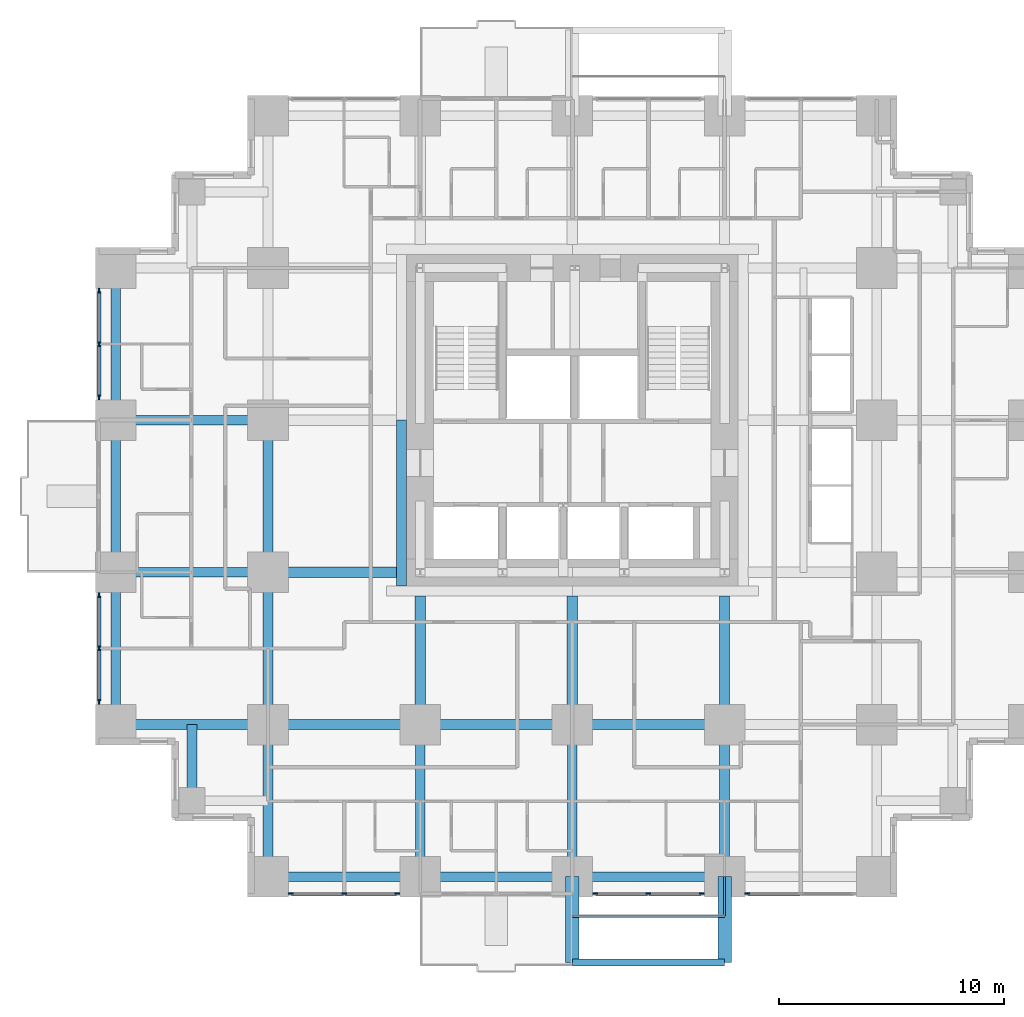
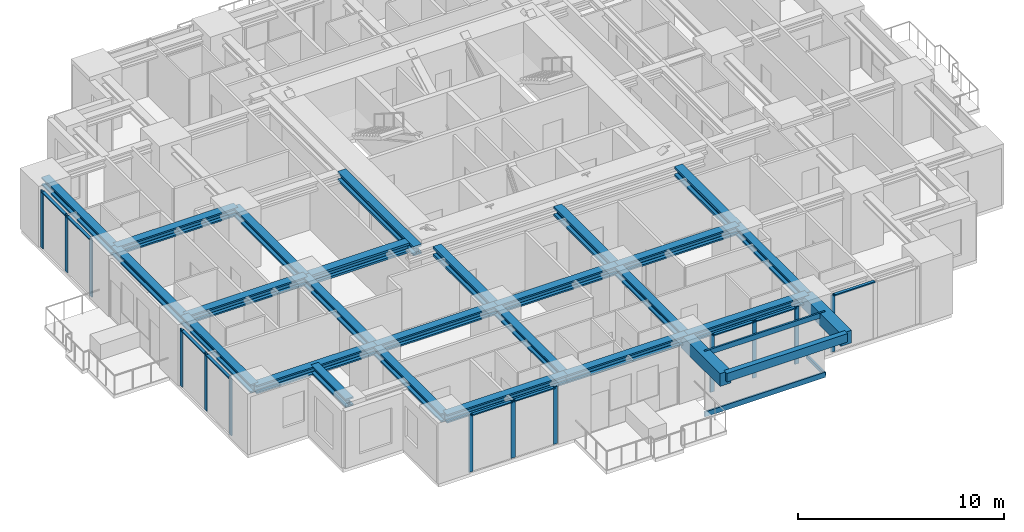
# One storey, part 2 of 13: 27 beams, 25 members, 5 elements without a shape of their own.
"""IFC4 building model written with IfcOpenShell, lengths in metres."""

from ifc_helpers import new_model, si_unit, direction, frame, origin, origin_2d, place, context, subcontext, project, spatial, rectangle, hollow_rectangle, i_section, extrude, material, material_profile, profile_set, type_object, element, aggregate, save


model = new_model("IFC4")

# Units and contexts
model_context = context("Model", 3, precision=1e-05, world=origin(), true_north=direction((0.0, 1.0)))
body_context = subcontext(model_context, "Body", "Model", "MODEL_VIEW")
ifc_project = project(units=[si_unit("LENGTHUNIT", "METRE"), si_unit("AREAUNIT", "SQUARE_METRE"), si_unit("VOLUMEUNIT", "CUBIC_METRE"), si_unit("PLANEANGLEUNIT", "RADIAN"), si_unit("MASSUNIT", "GRAM", prefix="KILO")], contexts=[model_context])

# Site, building, storey
site_placement = place(None, origin())
site = spatial("IfcSite", under=ifc_project, at=site_placement, CompositionType="ELEMENT")
building_placement = place(site_placement, origin())
building = spatial("IfcBuilding", under=site, at=building_placement, Name="Nyansa Garden Tower", CompositionType="ELEMENT")
storey_placement = place(building_placement, frame((0.0, 0.0, 87.300048828125)))
storey = spatial("IfcBuildingStorey", under=building, at=storey_placement, Name="L23", CompositionType="ELEMENT", Elevation=87.300048828125)

# Beams
ifc_material_1 = material(Name="Concrete C70/85", Category="concrete")
ifc_material_profile_1 = material_profile(ifc_material_1, rectangle(XDim=0.60009765625, YDim=0.75, at=origin_2d()), Name="RC 600x750")
ifc_profile_set_1 = profile_set([ifc_material_profile_1], Name="Concrete C70/85")
beam_type_1 = type_object("IfcBeamType", Name="Balcony cantilever beam CB1 RC 600x750", PredefinedType="BEAM", material=ifc_profile_set_1)
for number, where, z_axis, x_axis, name in (
    (1, (20.25, 0.0, 2.98486328125), (0.0, -1.0, 0.0), (1.0, 0.0, 0.0), "Balcony cantilever beam L24"),
    (2, (27.0, 0.0, 2.98486328125), (0.0, -1.0, 0.0), (1.0, 0.0, 0.0), "Balcony cantilever beam L24"),
):
    element("IfcBeam", number, at=place(storey_placement, frame(where, z_axis=z_axis, x_axis=x_axis)), inside=storey, type_object=beam_type_1, Name=name, PredefinedType="BEAM", context=body_context, shape_type="SweptSolid", body=[
        extrude(rectangle(XDim=0.60009765625, YDim=0.75, at=origin_2d()), origin(), (0.0, 0.0, 1.0), 3.800048828125),
    ])
ifc_material_2 = material(Name="Concrete C70/85", Category="concrete")
ifc_material_profile_2 = material_profile(ifc_material_2, rectangle(XDim=0.300048828125, YDim=0.5, at=origin_2d()), Name="RC 300x500")
ifc_profile_set_2 = profile_set([ifc_material_profile_2], Name="Concrete C70/85")
beam_type_2 = type_object("IfcBeamType", Name="Balcony edge beam BE1 RC 300x500", PredefinedType="BEAM", material=ifc_profile_set_2)
beam_1_placement = place(storey_placement, frame((20.25, -3.800048828125, 3.10986328125), z_axis=(1.0, 0.0, 0.0), x_axis=(0.0, 1.0, 0.0)))
element("IfcBeam", 3, at=beam_1_placement, inside=storey, type_object=beam_type_2, Name="Balcony edge beam L24", PredefinedType="BEAM", context=body_context, shape_type="SweptSolid", body=[
    extrude(rectangle(XDim=0.300048828125, YDim=0.5, at=origin_2d()), origin(), (0.0, 0.0, 1.0), 6.75),
])

# Curtain wall, members
ifc_material_3 = material(Name="Black anodised aluminium, dark tinted double glazing", Category="aluminium")
curtain_wall_type = type_object("IfcCurtainWallType", Name="Inner skin curtain wall ISW-B", PredefinedType="USERDEFINED", material=ifc_material_3)
curtain_wall_1_placement = place(storey_placement, origin())
curtain_wall_1 = element("IfcCurtainWall", 4, at=curtain_wall_1_placement, inside=storey, type_object=curtain_wall_type, Name="Inner skin curtain wall L23 W", ObjectType="UNITISED CURTAIN WALL", PredefinedType="USERDEFINED")
ifc_material_4 = material(Name="Black anodised aluminium", Category="aluminium")
ifc_material_profile_3 = material_profile(ifc_material_4, rectangle(XDim=0.06494140625, YDim=0.22509765625, at=origin_2d()), Name="Mullion 225x65")
ifc_profile_set_3 = profile_set([ifc_material_profile_3], Name="Black anodised aluminium")
member_type_1 = type_object("IfcMemberType", Name="Mullion ISW-B 225x65", PredefinedType="MULLION", material=ifc_profile_set_3)
member_1_placement = place(storey_placement, frame((-0.75, 12.487548828125, 0.0), z_axis=(0.0, 0.0, 1.0), x_axis=(1.0, 0.0, 0.0)))
member_1 = element("IfcMember", 5, at=member_1_placement, type_object=member_type_1, Name="ISW-B mullion 1", PredefinedType="MULLION", context=body_context, shape_type="SweptSolid", body=[
    extrude(rectangle(XDim=0.06494140625, YDim=0.22509765625, at=origin_2d()), origin(), (0.0, 0.0, 1.0), 3.375),
])
member_2_placement = place(storey_placement, frame((-0.75, 10.125, 0.0), z_axis=(0.0, 0.0, 1.0), x_axis=(1.0, 0.0, 0.0)))
member_2 = element("IfcMember", 6, at=member_2_placement, type_object=member_type_1, Name="ISW-B mullion 2", PredefinedType="MULLION", context=body_context, shape_type="SweptSolid", body=[
    extrude(rectangle(XDim=0.06494140625, YDim=0.22509765625, at=origin_2d()), origin(), (0.0, 0.0, 1.0), 3.375),
])
member_3_placement = place(storey_placement, frame((-0.75, 7.762451171875, 0.0), z_axis=(0.0, 0.0, 1.0), x_axis=(1.0, 0.0, 0.0)))
member_3 = element("IfcMember", 7, at=member_3_placement, type_object=member_type_1, Name="ISW-B mullion 3", PredefinedType="MULLION", context=body_context, shape_type="SweptSolid", body=[
    extrude(rectangle(XDim=0.06494140625, YDim=0.22509765625, at=origin_2d()), origin(), (0.0, 0.0, 1.0), 3.375),
])

curtain_wall_2_placement = place(storey_placement, origin())
curtain_wall_2 = element("IfcCurtainWall", 8, at=curtain_wall_2_placement, inside=storey, type_object=curtain_wall_type, Name="Inner skin curtain wall L23 W", ObjectType="UNITISED CURTAIN WALL", PredefinedType="USERDEFINED")
member_4_placement = place(storey_placement, frame((-0.75, 25.987548828125, 0.0), z_axis=(0.0, 0.0, 1.0), x_axis=(1.0, 0.0, 0.0)))
member_4 = element("IfcMember", 9, at=member_4_placement, type_object=member_type_1, Name="ISW-B mullion 1", PredefinedType="MULLION", context=body_context, shape_type="SweptSolid", body=[
    extrude(rectangle(XDim=0.06494140625, YDim=0.22509765625, at=origin_2d()), origin(), (0.0, 0.0, 1.0), 3.375),
])
member_5_placement = place(storey_placement, frame((-0.75, 23.625, 0.0), z_axis=(0.0, 0.0, 1.0), x_axis=(1.0, 0.0, 0.0)))
member_5 = element("IfcMember", 10, at=member_5_placement, type_object=member_type_1, Name="ISW-B mullion 2", PredefinedType="MULLION", context=body_context, shape_type="SweptSolid", body=[
    extrude(rectangle(XDim=0.06494140625, YDim=0.22509765625, at=origin_2d()), origin(), (0.0, 0.0, 1.0), 3.375),
])
member_6_placement = place(storey_placement, frame((-0.75, 21.262451171875, 0.0), z_axis=(0.0, 0.0, 1.0), x_axis=(1.0, 0.0, 0.0)))
member_6 = element("IfcMember", 11, at=member_6_placement, type_object=member_type_1, Name="ISW-B mullion 3", PredefinedType="MULLION", context=body_context, shape_type="SweptSolid", body=[
    extrude(rectangle(XDim=0.06494140625, YDim=0.22509765625, at=origin_2d()), origin(), (0.0, 0.0, 1.0), 3.375),
])

curtain_wall_3_placement = place(storey_placement, origin())
curtain_wall_3 = element("IfcCurtainWall", 12, at=curtain_wall_3_placement, inside=storey, type_object=curtain_wall_type, Name="Inner skin curtain wall L23 S", ObjectType="UNITISED CURTAIN WALL", PredefinedType="USERDEFINED")
member_7_placement = place(storey_placement, frame((7.762451171875, -0.75, 0.0), z_axis=(0.0, 0.0, 1.0), x_axis=(0.0, 1.0, 0.0)))
member_7 = element("IfcMember", 13, at=member_7_placement, type_object=member_type_1, Name="ISW-B mullion 1", PredefinedType="MULLION", context=body_context, shape_type="SweptSolid", body=[
    extrude(rectangle(XDim=0.06494140625, YDim=0.22509765625, at=origin_2d()), origin(), (0.0, 0.0, 1.0), 3.375),
])
member_8_placement = place(storey_placement, frame((10.125, -0.75, 0.0), z_axis=(0.0, 0.0, 1.0), x_axis=(0.0, 1.0, 0.0)))
member_8 = element("IfcMember", 14, at=member_8_placement, type_object=member_type_1, Name="ISW-B mullion 2", PredefinedType="MULLION", context=body_context, shape_type="SweptSolid", body=[
    extrude(rectangle(XDim=0.06494140625, YDim=0.22509765625, at=origin_2d()), origin(), (0.0, 0.0, 1.0), 3.375),
])
member_9_placement = place(storey_placement, frame((12.487548828125, -0.75, 0.0), z_axis=(0.0, 0.0, 1.0), x_axis=(0.0, 1.0, 0.0)))
member_9 = element("IfcMember", 15, at=member_9_placement, type_object=member_type_1, Name="ISW-B mullion 3", PredefinedType="MULLION", context=body_context, shape_type="SweptSolid", body=[
    extrude(rectangle(XDim=0.06494140625, YDim=0.22509765625, at=origin_2d()), origin(), (0.0, 0.0, 1.0), 3.375),
])

curtain_wall_4_placement = place(storey_placement, origin())
curtain_wall_4 = element("IfcCurtainWall", 16, at=curtain_wall_4_placement, inside=storey, type_object=curtain_wall_type, Name="Inner skin curtain wall L23 S", ObjectType="UNITISED CURTAIN WALL", PredefinedType="USERDEFINED")
member_10_placement = place(storey_placement, frame((21.262451171875, -0.75, 0.0), z_axis=(0.0, 0.0, 1.0), x_axis=(0.0, 1.0, 0.0)))
member_10 = element("IfcMember", 17, at=member_10_placement, type_object=member_type_1, Name="ISW-B mullion 1", PredefinedType="MULLION", context=body_context, shape_type="SweptSolid", body=[
    extrude(rectangle(XDim=0.06494140625, YDim=0.22509765625, at=origin_2d()), origin(), (0.0, 0.0, 1.0), 3.375),
])
member_11_placement = place(storey_placement, frame((23.625, -0.75, 0.0), z_axis=(0.0, 0.0, 1.0), x_axis=(0.0, 1.0, 0.0)))
member_11 = element("IfcMember", 18, at=member_11_placement, type_object=member_type_1, Name="ISW-B mullion 2", PredefinedType="MULLION", context=body_context, shape_type="SweptSolid", body=[
    extrude(rectangle(XDim=0.06494140625, YDim=0.22509765625, at=origin_2d()), origin(), (0.0, 0.0, 1.0), 3.375),
])
member_12_placement = place(storey_placement, frame((25.987548828125, -0.75, 0.0), z_axis=(0.0, 0.0, 1.0), x_axis=(0.0, 1.0, 0.0)))
member_12 = element("IfcMember", 19, at=member_12_placement, type_object=member_type_1, Name="ISW-B mullion 3", PredefinedType="MULLION", context=body_context, shape_type="SweptSolid", body=[
    extrude(rectangle(XDim=0.06494140625, YDim=0.22509765625, at=origin_2d()), origin(), (0.0, 0.0, 1.0), 3.375),
])

# Curtain wall, member
curtain_wall_5_placement = place(storey_placement, origin())
curtain_wall_5 = element("IfcCurtainWall", 20, at=curtain_wall_5_placement, inside=storey, type_object=curtain_wall_type, Name="Inner skin curtain wall L23 S", ObjectType="UNITISED CURTAIN WALL", PredefinedType="USERDEFINED")
member_13_placement = place(storey_placement, frame((28.012451171875, -0.75, 0.0), z_axis=(0.0, 0.0, 1.0), x_axis=(0.0, 1.0, 0.0)))
member_13 = element("IfcMember", 21, at=member_13_placement, type_object=member_type_1, Name="ISW-B mullion 1", PredefinedType="MULLION", context=body_context, shape_type="SweptSolid", body=[
    extrude(rectangle(XDim=0.06494140625, YDim=0.22509765625, at=origin_2d()), origin(), (0.0, 0.0, 1.0), 3.375),
])

# Members
ifc_material_5 = material(Name="Steel S355, black powder coated", Category="steel")
ifc_material_profile_4 = material_profile(ifc_material_5, hollow_rectangle(XDim=0.10009765625, YDim=0.199951171875, WallThickness=0.008056640625, at=origin_2d()), Name="RHS 200x100x8")
ifc_profile_set_4 = profile_set([ifc_material_profile_4], Name="Steel S355, black powder coated")
member_type_2 = type_object("IfcMemberType", Name="Outer skin bracket arm RHS 200x100x8", PredefinedType="USERDEFINED", material=ifc_profile_set_4)
member_14_placement = place(storey_placement, frame((27.0, 0.0, -0.375), z_axis=(0.0, -1.0, 0.0), x_axis=(1.0, 0.0, 0.0)))
element("IfcMember", 22, at=member_14_placement, inside=storey, type_object=member_type_2, Name="Outer skin bracket arm", ObjectType="OUTER SKIN BRACKET", PredefinedType="USERDEFINED", context=body_context, shape_type="SweptSolid", body=[
    extrude(hollow_rectangle(XDim=0.10009765625, YDim=0.199951171875, WallThickness=0.008056640625, at=origin_2d()), origin(), (0.0, 0.0, 1.0), 1.75),
])
ifc_material_6 = material(Name="Steel S355, black powder coated", Category="steel")
ifc_material_profile_5 = material_profile(ifc_material_6, hollow_rectangle(XDim=0.10009765625, YDim=0.300048828125, WallThickness=0.010009765625, at=origin_2d()), Name="RHS 300x100x10")
ifc_profile_set_5 = profile_set([ifc_material_profile_5], Name="Steel S355, black powder coated")
member_type_3 = type_object("IfcMemberType", Name="Outer skin rail RHS 300x100x10", PredefinedType="USERDEFINED", material=ifc_profile_set_5)
for number, where, z_axis, x_axis, name in (
    (23, (20.25, -1.75, -0.375), (1.0, 0.0, 0.0), (0.0, 1.0, 0.0), "Outer skin rail L23"),
    (24, (20.25, -1.75, 3.224853515625), (1.0, 0.0, 0.0), (0.0, 1.0, 0.0), "Outer skin rail L23 head"),
):
    element("IfcMember", number, at=place(storey_placement, frame(where, z_axis=z_axis, x_axis=x_axis)), inside=storey, type_object=member_type_3, Name=name, ObjectType="OUTER SKIN RAIL", PredefinedType="USERDEFINED", context=body_context, shape_type="SweptSolid", body=[
        extrude(hollow_rectangle(XDim=0.10009765625, YDim=0.300048828125, WallThickness=0.010009765625, at=origin_2d()), origin(), (0.0, 0.0, 1.0), 6.75),
    ])

# Beams
ifc_material_7 = material(Name="Steel S355", Category="steel")
ifc_material_profile_6 = material_profile(ifc_material_7, i_section(OverallWidth=0.431884765625, OverallDepth=0.498046875, WebThickness=0.0556640625, FlangeThickness=0.0888671875, FilletRadius=0.014892578125, at=origin_2d()), Name="HD 400x744")
ifc_profile_set_6 = profile_set([ifc_material_profile_6], Name="Steel S355")
beam_type_3 = type_object("IfcBeamType", Name="Steel beam SBB1-744 HD 400x744", PredefinedType="BEAM", material=ifc_profile_set_6)
for number, where, z_axis, x_axis, name in (
    (25, (0.0, 6.75, 3.1259765625), (1.0, 0.0, 0.0), (0.0, 1.0, 0.0), "Steel beam 2/E-3/E L24"),
    (26, (0.0, 13.5, 3.1259765625), (1.0, 0.0, 0.0), (0.0, 1.0, 0.0), "Steel beam 2/F-3/F L24"),
    (27, (0.0, 20.25, 3.1259765625), (1.0, 0.0, 0.0), (0.0, 1.0, 0.0), "Steel beam 2/G-3/G L24"),
    (28, (6.75, 0.0, 3.1259765625), (0.0, 1.0, 0.0), (-1.0, 0.0, 0.0), "Steel beam 3/D-3/E L24"),
    (29, (6.75, 6.75, 3.1259765625), (0.0, 1.0, 0.0), (-1.0, 0.0, 0.0), "Steel beam 3/E-3/F L24"),
    (30, (6.75, 6.75, 3.1259765625), (1.0, 0.0, 0.0), (0.0, 1.0, 0.0), "Steel beam 3/E-4/E L24"),
    (31, (6.75, 13.5, 3.1259765625), (0.0, 1.0, 0.0), (-1.0, 0.0, 0.0), "Steel beam 3/F-3/G L24"),
    (32, (13.5, 0.0, 3.1259765625), (0.0, 1.0, 0.0), (-1.0, 0.0, 0.0), "Steel beam 4/D-4/E L24"),
    (33, (13.5, 6.75, 3.1259765625), (1.0, 0.0, 0.0), (0.0, 1.0, 0.0), "Steel beam 4/E-5/E L24"),
    (34, (20.25, 0.0, 3.1259765625), (0.0, 1.0, 0.0), (-1.0, 0.0, 0.0), "Steel beam 5/D-5/E L24"),
    (35, (20.25, 6.75, 3.1259765625), (1.0, 0.0, 0.0), (0.0, 1.0, 0.0), "Steel beam 5/E-6/E L24"),
    (36, (27.0, 0.0, 3.1259765625), (0.0, 1.0, 0.0), (-1.0, 0.0, 0.0), "Steel beam 6/D-6/E L24"),
):
    element("IfcBeam", number, at=place(storey_placement, frame(where, z_axis=z_axis, x_axis=x_axis)), inside=storey, type_object=beam_type_3, Name=name, PredefinedType="BEAM", context=body_context, shape_type="SweptSolid", body=[
        extrude(i_section(OverallWidth=0.431884765625, OverallDepth=0.498046875, WebThickness=0.0556640625, FlangeThickness=0.0888671875, FilletRadius=0.014892578125, at=origin_2d()), origin(), (0.0, 0.0, 1.0), 6.75),
    ])
ifc_material_8 = material(Name="Steel S355", Category="steel")
ifc_material_profile_7 = material_profile(ifc_material_8, i_section(OverallWidth=0.4541015625, OverallDepth=0.569091796875, WebThickness=0.077880859375, FlangeThickness=0.125, FilletRadius=0.014892578125, at=origin_2d()), Name="HD 400x1086")
ifc_profile_set_7 = profile_set([ifc_material_profile_7], Name="Steel S355")
beam_type_4 = type_object("IfcBeamType", Name="Steel beam SCL-1086 HD 400x1086", PredefinedType="BEAM", material=ifc_profile_set_7)
for number, where, z_axis, x_axis, name in (
    (37, (6.75, 13.5, 3.09033203125), (1.0, 0.0, 0.0), (0.0, 1.0, 0.0), "Steel beam 3/F-12.450/F L24"),
    (38, (13.5, 6.75, 3.09033203125), (0.0, 1.0, 0.0), (-1.0, 0.0, 0.0), "Steel beam 4/E-4/12.450 L24"),
    (39, (20.25, 6.75, 3.09033203125), (0.0, 1.0, 0.0), (-1.0, 0.0, 0.0), "Steel beam 5/E-5/12.450 L24"),
    (40, (27.0, 6.75, 3.09033203125), (0.0, 1.0, 0.0), (-1.0, 0.0, 0.0), "Steel beam 6/E-6/12.450 L24"),
):
    element("IfcBeam", number, at=place(storey_placement, frame(where, z_axis=z_axis, x_axis=x_axis)), inside=storey, type_object=beam_type_4, Name=name, PredefinedType="BEAM", context=body_context, shape_type="SweptSolid", body=[
        extrude(i_section(OverallWidth=0.4541015625, OverallDepth=0.569091796875, WebThickness=0.077880859375, FlangeThickness=0.125, FilletRadius=0.014892578125, at=origin_2d()), origin(), (0.0, 0.0, 1.0), 5.699951171875),
    ])
beam_2_placement = place(storey_placement, frame((12.673095703125, 20.25, 3.09033203125), z_axis=(0.0, -1.0, 0.0), x_axis=(1.0, 0.0, 0.0)))
element("IfcBeam", 41, at=beam_2_placement, inside=storey, type_object=beam_type_4, Name="Steel core ledger beam W.2 L24", PredefinedType="BEAM", context=body_context, shape_type="SweptSolid", body=[
    extrude(i_section(OverallWidth=0.4541015625, OverallDepth=0.569091796875, WebThickness=0.077880859375, FlangeThickness=0.125, FilletRadius=0.014892578125, at=origin_2d()), origin(), (0.0, 0.0, 1.0), 7.35009765625),
])
ifc_material_9 = material(Name="Steel S355", Category="steel")
ifc_material_profile_8 = material_profile(ifc_material_9, i_section(OverallWidth=0.431884765625, OverallDepth=0.498046875, WebThickness=0.0556640625, FlangeThickness=0.0888671875, FilletRadius=0.014892578125, at=origin_2d()), Name="HD 400x744")
ifc_profile_set_8 = profile_set([ifc_material_profile_8], Name="Steel S355")
beam_type_5 = type_object("IfcBeamType", Name="Steel beam SEBB-744 HD 400x744", PredefinedType="BEAM", material=ifc_profile_set_8)
for number, where, z_axis, x_axis, name in (
    (42, (0.0, 6.75, 3.1259765625), (0.0, 1.0, 0.0), (-1.0, 0.0, 0.0), "Steel edge beam 2/E-2/F L24"),
    (43, (0.0, 13.5, 3.1259765625), (0.0, 1.0, 0.0), (-1.0, 0.0, 0.0), "Steel edge beam 2/F-2/G L24"),
    (44, (0.0, 20.25, 3.1259765625), (0.0, 1.0, 0.0), (-1.0, 0.0, 0.0), "Steel edge beam 2/G-2/H L24"),
    (45, (6.75, 0.0, 3.1259765625), (1.0, 0.0, 0.0), (0.0, 1.0, 0.0), "Steel edge beam 3/D-4/D L24"),
    (46, (13.5, 0.0, 3.1259765625), (1.0, 0.0, 0.0), (0.0, 1.0, 0.0), "Steel edge beam 4/D-5/D L24"),
    (47, (20.25, 0.0, 3.1259765625), (1.0, 0.0, 0.0), (0.0, 1.0, 0.0), "Steel edge beam 5/D-6/D L24"),
):
    element("IfcBeam", number, at=place(storey_placement, frame(where, z_axis=z_axis, x_axis=x_axis)), inside=storey, type_object=beam_type_5, Name=name, PredefinedType="BEAM", context=body_context, shape_type="SweptSolid", body=[
        extrude(i_section(OverallWidth=0.431884765625, OverallDepth=0.498046875, WebThickness=0.0556640625, FlangeThickness=0.0888671875, FilletRadius=0.014892578125, at=origin_2d()), origin(), (0.0, 0.0, 1.0), 6.75),
    ])
ifc_material_10 = material(Name="Steel S355", Category="steel")
ifc_material_profile_9 = material_profile(ifc_material_10, i_section(OverallWidth=0.431884765625, OverallDepth=0.498046875, WebThickness=0.0556640625, FlangeThickness=0.0888671875, FilletRadius=0.014892578125, at=origin_2d()), Name="HD 400x744")
ifc_profile_set_9 = profile_set([ifc_material_profile_9], Name="Steel S355")
beam_type_6 = type_object("IfcBeamType", Name="Steel beam SSB1-744 HD 400x744", PredefinedType="BEAM", material=ifc_profile_set_9)
beam_3_placement = place(storey_placement, frame((3.375, 3.375, 3.1259765625), z_axis=(0.0, 1.0, 0.0), x_axis=(-1.0, 0.0, 0.0)))
element("IfcBeam", 48, at=beam_3_placement, inside=storey, type_object=beam_type_6, Name="Steel step beam 3.375/3.375 L24", PredefinedType="BEAM", context=body_context, shape_type="SweptSolid", body=[
    extrude(i_section(OverallWidth=0.431884765625, OverallDepth=0.498046875, WebThickness=0.0556640625, FlangeThickness=0.0888671875, FilletRadius=0.014892578125, at=origin_2d()), origin(), (0.0, 0.0, 1.0), 3.375),
])

# Member
ifc_material_11 = material(Name="Black anodised aluminium", Category="aluminium")
ifc_material_profile_10 = material_profile(ifc_material_11, rectangle(XDim=0.1650390625, YDim=0.06494140625, at=origin_2d()), Name="Transom 165x65")
ifc_profile_set_10 = profile_set([ifc_material_profile_10], Name="Black anodised aluminium")
member_type_4 = type_object("IfcMemberType", Name="Transom ISW-B 165x65", PredefinedType="USERDEFINED", material=ifc_profile_set_10)
member_15_placement = place(storey_placement, frame((-0.75, 12.455078125, 3.342529296875), z_axis=(0.0, -1.0, 0.0), x_axis=(1.0, 0.0, 0.0)))
member_15 = element("IfcMember", 49, at=member_15_placement, type_object=member_type_4, Name="ISW-B transom 1", ObjectType="TRANSOM", PredefinedType="USERDEFINED", context=body_context, shape_type="SweptSolid", body=[
    extrude(rectangle(XDim=0.1650390625, YDim=0.06494140625, at=origin_2d()), origin(), (0.0, 0.0, 1.0), 2.297607421875),
])

member_16_placement = place(storey_placement, frame((-0.75, 10.092529296875, 3.342529296875), z_axis=(0.0, -1.0, 0.0), x_axis=(1.0, 0.0, 0.0)))
member_16 = element("IfcMember", 50, at=member_16_placement, type_object=member_type_4, Name="ISW-B transom 2", ObjectType="TRANSOM", PredefinedType="USERDEFINED", context=body_context, shape_type="SweptSolid", body=[
    extrude(rectangle(XDim=0.1650390625, YDim=0.06494140625, at=origin_2d()), origin(), (0.0, 0.0, 1.0), 2.297607421875),
])

aggregate(curtain_wall_1, [member_1, member_2, member_3, member_15, member_16])

member_17_placement = place(storey_placement, frame((-0.75, 25.955078125, 3.342529296875), z_axis=(0.0, -1.0, 0.0), x_axis=(1.0, 0.0, 0.0)))
member_17 = element("IfcMember", 51, at=member_17_placement, type_object=member_type_4, Name="ISW-B transom 1", ObjectType="TRANSOM", PredefinedType="USERDEFINED", context=body_context, shape_type="SweptSolid", body=[
    extrude(rectangle(XDim=0.1650390625, YDim=0.06494140625, at=origin_2d()), origin(), (0.0, 0.0, 1.0), 2.297607421875),
])

member_18_placement = place(storey_placement, frame((-0.75, 23.592529296875, 3.342529296875), z_axis=(0.0, -1.0, 0.0), x_axis=(1.0, 0.0, 0.0)))
member_18 = element("IfcMember", 52, at=member_18_placement, type_object=member_type_4, Name="ISW-B transom 2", ObjectType="TRANSOM", PredefinedType="USERDEFINED", context=body_context, shape_type="SweptSolid", body=[
    extrude(rectangle(XDim=0.1650390625, YDim=0.06494140625, at=origin_2d()), origin(), (0.0, 0.0, 1.0), 2.297607421875),
])

aggregate(curtain_wall_2, [member_4, member_5, member_6, member_17, member_18])

member_19_placement = place(storey_placement, frame((7.794921875, -0.75, 3.342529296875), z_axis=(1.0, 0.0, 0.0), x_axis=(0.0, 1.0, 0.0)))
member_19 = element("IfcMember", 53, at=member_19_placement, type_object=member_type_4, Name="ISW-B transom 1", ObjectType="TRANSOM", PredefinedType="USERDEFINED", context=body_context, shape_type="SweptSolid", body=[
    extrude(rectangle(XDim=0.1650390625, YDim=0.06494140625, at=origin_2d()), origin(), (0.0, 0.0, 1.0), 2.297607421875),
])

member_20_placement = place(storey_placement, frame((10.157470703125, -0.75, 3.342529296875), z_axis=(1.0, 0.0, 0.0), x_axis=(0.0, 1.0, 0.0)))
member_20 = element("IfcMember", 54, at=member_20_placement, type_object=member_type_4, Name="ISW-B transom 2", ObjectType="TRANSOM", PredefinedType="USERDEFINED", context=body_context, shape_type="SweptSolid", body=[
    extrude(rectangle(XDim=0.1650390625, YDim=0.06494140625, at=origin_2d()), origin(), (0.0, 0.0, 1.0), 2.297607421875),
])

aggregate(curtain_wall_3, [member_7, member_8, member_9, member_19, member_20])

member_21_placement = place(storey_placement, frame((21.294921875, -0.75, 3.342529296875), z_axis=(1.0, 0.0, 0.0), x_axis=(0.0, 1.0, 0.0)))
member_21 = element("IfcMember", 55, at=member_21_placement, type_object=member_type_4, Name="ISW-B transom 1", ObjectType="TRANSOM", PredefinedType="USERDEFINED", context=body_context, shape_type="SweptSolid", body=[
    extrude(rectangle(XDim=0.1650390625, YDim=0.06494140625, at=origin_2d()), origin(), (0.0, 0.0, 1.0), 2.297607421875),
])

member_22_placement = place(storey_placement, frame((23.657470703125, -0.75, 3.342529296875), z_axis=(1.0, 0.0, 0.0), x_axis=(0.0, 1.0, 0.0)))
member_22 = element("IfcMember", 56, at=member_22_placement, type_object=member_type_4, Name="ISW-B transom 2", ObjectType="TRANSOM", PredefinedType="USERDEFINED", context=body_context, shape_type="SweptSolid", body=[
    extrude(rectangle(XDim=0.1650390625, YDim=0.06494140625, at=origin_2d()), origin(), (0.0, 0.0, 1.0), 2.297607421875),
])

aggregate(curtain_wall_4, [member_10, member_11, member_12, member_21, member_22])

member_23_placement = place(storey_placement, frame((28.044921875, -0.75, 3.342529296875), z_axis=(1.0, 0.0, 0.0), x_axis=(0.0, 1.0, 0.0)))
member_23 = element("IfcMember", 57, at=member_23_placement, type_object=member_type_4, Name="ISW-B transom 1", ObjectType="TRANSOM", PredefinedType="USERDEFINED", context=body_context, shape_type="SweptSolid", body=[
    extrude(rectangle(XDim=0.1650390625, YDim=0.06494140625, at=origin_2d()), origin(), (0.0, 0.0, 1.0), 2.297607421875),
])

aggregate(curtain_wall_5, [member_13, member_23])

save(model, "model.ifc")
